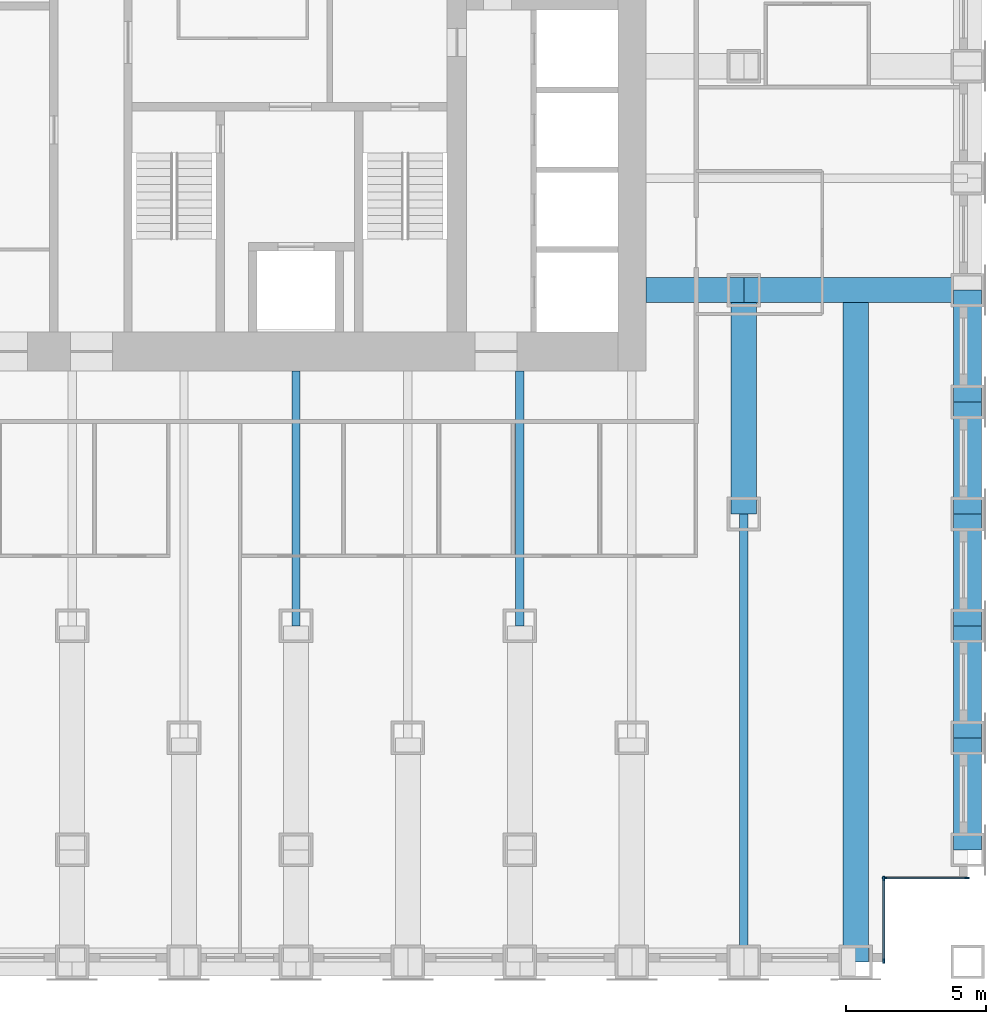
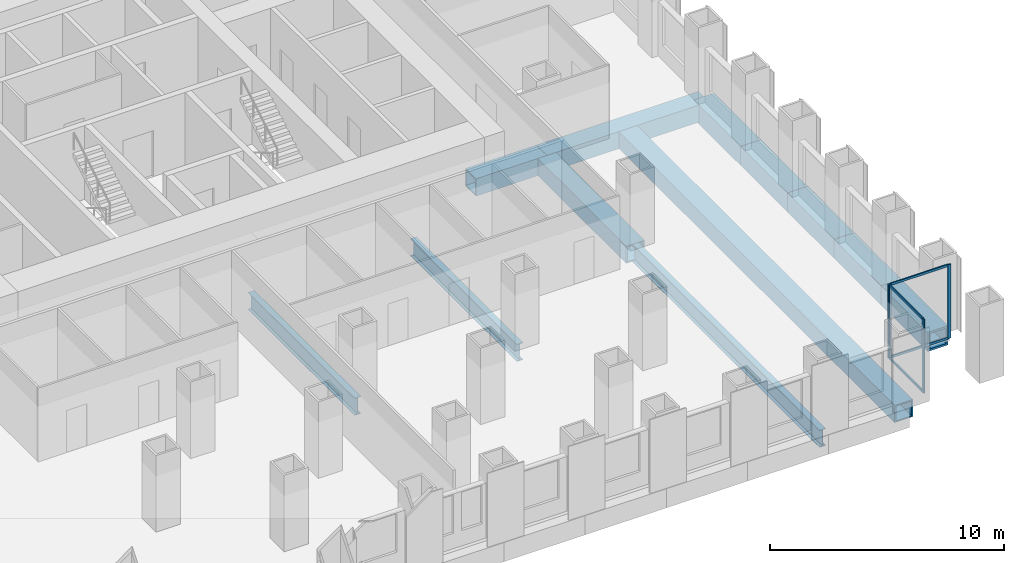
# One storey, part 4 of 15: 12 beams, 8 members, 2 elements without a shape of their own.
"""IFC4 building model written with IfcOpenShell, lengths in metres."""

from ifc_helpers import new_model, si_unit, direction, frame, origin, origin_2d, place, context, subcontext, project, spatial, rectangle, hollow_rectangle, i_section, extrude, material, material_profile, profile_set, type_object, element, aggregate, save


model = new_model("IFC4")

# Units and contexts
model_context = context("Model", 3, precision=1e-05, world=origin(), true_north=direction((0.0, 1.0)))
body_context = subcontext(model_context, "Body", "Model", "MODEL_VIEW")
ifc_project = project(units=[si_unit("LENGTHUNIT", "METRE"), si_unit("AREAUNIT", "SQUARE_METRE"), si_unit("VOLUMEUNIT", "CUBIC_METRE"), si_unit("PLANEANGLEUNIT", "RADIAN"), si_unit("MASSUNIT", "GRAM", prefix="KILO")], contexts=[model_context])

# Site, building, storey
site_placement = place(None, origin())
site = spatial("IfcSite", under=ifc_project, at=site_placement, CompositionType="ELEMENT")
building_placement = place(site_placement, origin())
building = spatial("IfcBuilding", under=site, at=building_placement, Name="Rimbunsela Tower", CompositionType="ELEMENT")
storey_placement = place(building_placement, frame((0.0, 0.0, 19.0)))
storey = spatial("IfcBuildingStorey", under=building, at=storey_placement, Name="L04", CompositionType="ELEMENT", Elevation=19.0)

# Beams
ifc_material_1 = material(Name="Steel BJ 55 (fy 410 MPa)", Category="steel")
ifc_material_profile_1 = material_profile(ifc_material_1, hollow_rectangle(XDim=1.0, YDim=1.0, WallThickness=0.10009765625, at=origin_2d()), Name="BOX 1000x1000x100")
ifc_profile_set_1 = profile_set([ifc_material_profile_1], Name="Steel BJ 55 (fy 410 MPa)")
beam_type_1 = type_object("IfcBeamType", Name="Beam BOX 1000x1000x100", PredefinedType="BEAM", material=ifc_profile_set_1)
for number, where, z_axis, x_axis, name in (
    (1, (54.0, 0.0, -0.64990234375), (0.0, 1.0, 0.0), (-1.0, 0.0, 0.0), "Beam B3 L04"),
    (2, (54.0, 4.0, -0.64990234375), (0.0, 1.0, 0.0), (-1.0, 0.0, 0.0), "Beam B3 L04"),
    (3, (54.0, 8.0, -0.64990234375), (0.0, 1.0, 0.0), (-1.0, 0.0, 0.0), "Beam B3 L04"),
    (4, (54.0, 12.0, -0.64990234375), (0.0, 1.0, 0.0), (-1.0, 0.0, 0.0), "Beam B3 L04"),
    (5, (54.0, 16.0, -0.64990234375), (0.0, 1.0, 0.0), (-1.0, 0.0, 0.0), "Beam B3 L04"),
):
    element("IfcBeam", number, at=place(storey_placement, frame(where, z_axis=z_axis, x_axis=x_axis)), inside=storey, type_object=beam_type_1, Name=name, PredefinedType="BEAM", context=body_context, shape_type="SweptSolid", body=[
        extrude(hollow_rectangle(XDim=1.0, YDim=1.0, WallThickness=0.10009765625, at=origin_2d()), origin(), (0.0, 0.0, 1.0), 4.0),
    ])
ifc_material_2 = material(Name="Steel BJ 55 (fy 410 MPa)", Category="steel")
ifc_material_profile_2 = material_profile(ifc_material_2, hollow_rectangle(XDim=0.89990234375, YDim=0.89990234375, WallThickness=0.06005859375, at=origin_2d()), Name="BOX 900x900x60")
ifc_profile_set_2 = profile_set([ifc_material_profile_2], Name="Steel BJ 55 (fy 410 MPa)")
beam_type_2 = type_object("IfcBeamType", Name="Beam BOX 900x900x60", PredefinedType="BEAM", material=ifc_profile_set_2)
beam_1_placement = place(storey_placement, frame((42.5, 20.0, -0.60009765625), z_axis=(1.0, 0.0, 0.0), x_axis=(0.0, 1.0, 0.0)))
element("IfcBeam", 6, at=beam_1_placement, inside=storey, type_object=beam_type_2, Name="Beam B1 L04", PredefinedType="BEAM", context=body_context, shape_type="SweptSolid", body=[
    extrude(hollow_rectangle(XDim=0.89990234375, YDim=0.89990234375, WallThickness=0.06005859375, at=origin_2d()), origin(), (0.0, 0.0, 1.0), 3.5),
])
for number, where, z_axis, x_axis, name in (
    (7, (46.0, 12.0, -0.60009765625), (0.0, 1.0, 0.0), (-1.0, 0.0, 0.0), "Beam B1 L04"),
    (8, (46.0, 20.0, -0.60009765625), (1.0, 0.0, 0.0), (0.0, 1.0, 0.0), "Beam B1 L04"),
):
    element("IfcBeam", number, at=place(storey_placement, frame(where, z_axis=z_axis, x_axis=x_axis)), inside=storey, type_object=beam_type_2, Name=name, PredefinedType="BEAM", context=body_context, shape_type="SweptSolid", body=[
        extrude(hollow_rectangle(XDim=0.89990234375, YDim=0.89990234375, WallThickness=0.06005859375, at=origin_2d()), origin(), (0.0, 0.0, 1.0), 8.0),
    ])
beam_2_placement = place(storey_placement, frame((50.0, -4.0, -0.60009765625), z_axis=(0.0, 1.0, 0.0), x_axis=(-1.0, 0.0, 0.0)))
element("IfcBeam", 9, at=beam_2_placement, inside=storey, type_object=beam_type_2, Name="Beam B1 L04", PredefinedType="BEAM", context=body_context, shape_type="SweptSolid", body=[
    extrude(hollow_rectangle(XDim=0.89990234375, YDim=0.89990234375, WallThickness=0.06005859375, at=origin_2d()), origin(), (0.0, 0.0, 1.0), 23.550048828125),
])
ifc_material_3 = material(Name="Steel BJ 55 (fy 410 MPa)", Category="steel")
ifc_material_profile_3 = material_profile(ifc_material_3, i_section(OverallWidth=0.300048828125, OverallDepth=0.89990234375, WebThickness=0.01611328125, FlangeThickness=0.028076171875, FilletRadius=0.028076171875, at=origin_2d()), Name="H 900x300x16x28")
ifc_profile_set_3 = profile_set([ifc_material_profile_3], Name="Steel BJ 55 (fy 410 MPa)")
beam_type_3 = type_object("IfcBeamType", Name="Beam H 900x300x16x28", PredefinedType="BEAM", material=ifc_profile_set_3)
for number, where, z_axis, x_axis, name in (
    (10, (30.0, 8.0, -0.60009765625), (0.0, 1.0, 0.0), (-1.0, 0.0, 0.0), "Beam B2 L04"),
    (11, (38.0, 8.0, -0.60009765625), (0.0, 1.0, 0.0), (-1.0, 0.0, 0.0), "Beam B2 L04"),
):
    element("IfcBeam", number, at=place(storey_placement, frame(where, z_axis=z_axis, x_axis=x_axis)), inside=storey, type_object=beam_type_3, Name=name, PredefinedType="BEAM", context=body_context, shape_type="SweptSolid", body=[
        extrude(i_section(OverallWidth=0.300048828125, OverallDepth=0.89990234375, WebThickness=0.01611328125, FlangeThickness=0.028076171875, FilletRadius=0.028076171875, at=origin_2d()), origin(), (0.0, 0.0, 1.0), 9.10009765625),
    ])
beam_3_placement = place(storey_placement, frame((46.0, -4.0, -0.60009765625), z_axis=(0.0, 1.0, 0.0), x_axis=(-1.0, 0.0, 0.0)))
element("IfcBeam", 12, at=beam_3_placement, inside=storey, type_object=beam_type_3, Name="Beam B2 L04", PredefinedType="BEAM", context=body_context, shape_type="SweptSolid", body=[
    extrude(i_section(OverallWidth=0.300048828125, OverallDepth=0.89990234375, WebThickness=0.01611328125, FlangeThickness=0.028076171875, FilletRadius=0.028076171875, at=origin_2d()), origin(), (0.0, 0.0, 1.0), 16.0),
])

# Curtain wall, members
ifc_material_4 = material(Name="Aluminium curtain wall", Category="aluminium")
curtain_wall_type = type_object("IfcCurtainWallType", Name="Corner glazing", PredefinedType="USERDEFINED", material=ifc_material_4)
curtain_wall_1_placement = place(storey_placement, origin())
curtain_wall_1 = element("IfcCurtainWall", 13, at=curtain_wall_1_placement, inside=storey, type_object=curtain_wall_type, Name="Corner glazing L04", ObjectType="CORNER GLAZING", PredefinedType="USERDEFINED")
ifc_material_5 = material(Name="Aluminium mullion", Category="aluminium")
ifc_material_profile_4 = material_profile(ifc_material_5, rectangle(XDim=0.06005859375, YDim=0.159912109375, at=origin_2d()), Name="Mullion 60x160")
ifc_profile_set_4 = profile_set([ifc_material_profile_4], Name="Aluminium mullion")
member_type_1 = type_object("IfcMemberType", Name="Curtain wall mullion 60x160", PredefinedType="MULLION", material=ifc_profile_set_4)
member_1_placement = place(storey_placement, frame((51.0, -3.969970703125, 0.0), z_axis=(0.0, 0.0, 1.0), x_axis=(-1.0, 0.0, 0.0)))
member_1 = element("IfcMember", 14, at=member_1_placement, type_object=member_type_1, Name="CW5 mullion 1", PredefinedType="MULLION", context=body_context, shape_type="SweptSolid", body=[
    extrude(rectangle(XDim=0.06005859375, YDim=0.159912109375, at=origin_2d()), origin(), (0.0, 0.0, 1.0), 3.85009765625),
])
member_2_placement = place(storey_placement, frame((51.0, -1.030029296875, 0.0), z_axis=(0.0, 0.0, 1.0), x_axis=(-1.0, 0.0, 0.0)))
member_2 = element("IfcMember", 15, at=member_2_placement, type_object=member_type_1, Name="CW5 mullion 2", PredefinedType="MULLION", context=body_context, shape_type="SweptSolid", body=[
    extrude(rectangle(XDim=0.06005859375, YDim=0.159912109375, at=origin_2d()), origin(), (0.0, 0.0, 1.0), 3.85009765625),
])

curtain_wall_2_placement = place(storey_placement, origin())
curtain_wall_2 = element("IfcCurtainWall", 16, at=curtain_wall_2_placement, inside=storey, type_object=curtain_wall_type, Name="Corner glazing L04", ObjectType="CORNER GLAZING", PredefinedType="USERDEFINED")
member_3_placement = place(storey_placement, frame((51.030029296875, -1.0, 0.0), z_axis=(0.0, 0.0, 1.0), x_axis=(0.0, 1.0, 0.0)))
member_3 = element("IfcMember", 17, at=member_3_placement, type_object=member_type_1, Name="CW5 mullion 1", PredefinedType="MULLION", context=body_context, shape_type="SweptSolid", body=[
    extrude(rectangle(XDim=0.06005859375, YDim=0.159912109375, at=origin_2d()), origin(), (0.0, 0.0, 1.0), 3.85009765625),
])
member_4_placement = place(storey_placement, frame((53.969970703125, -1.0, 0.0), z_axis=(0.0, 0.0, 1.0), x_axis=(0.0, 1.0, 0.0)))
member_4 = element("IfcMember", 18, at=member_4_placement, type_object=member_type_1, Name="CW5 mullion 2", PredefinedType="MULLION", context=body_context, shape_type="SweptSolid", body=[
    extrude(rectangle(XDim=0.06005859375, YDim=0.159912109375, at=origin_2d()), origin(), (0.0, 0.0, 1.0), 3.85009765625),
])

# Member
ifc_material_6 = material(Name="Aluminium transom", Category="aluminium")
ifc_material_profile_5 = material_profile(ifc_material_6, rectangle(XDim=0.06005859375, YDim=0.1201171875, at=origin_2d()), Name="Transom 60x120")
ifc_profile_set_5 = profile_set([ifc_material_profile_5], Name="Aluminium transom")
member_type_2 = type_object("IfcMemberType", Name="Curtain wall transom 60x120", PredefinedType="USERDEFINED", material=ifc_profile_set_5)
member_5_placement = place(storey_placement, frame((51.0, -3.93994140625, 0.030029296875), z_axis=(0.0, 1.0, 0.0), x_axis=(-1.0, 0.0, 0.0)))
member_5 = element("IfcMember", 19, at=member_5_placement, type_object=member_type_2, Name="CW5 transom 1.1", ObjectType="TRANSOM", PredefinedType="USERDEFINED", context=body_context, shape_type="SweptSolid", body=[
    extrude(rectangle(XDim=0.06005859375, YDim=0.1201171875, at=origin_2d()), origin(), (0.0, 0.0, 1.0), 2.8798828125),
])

member_6_placement = place(storey_placement, frame((51.0, -3.93994140625, 3.820068359375), z_axis=(0.0, 1.0, 0.0), x_axis=(-1.0, 0.0, 0.0)))
member_6 = element("IfcMember", 20, at=member_6_placement, type_object=member_type_2, Name="CW5 transom 1.2", ObjectType="TRANSOM", PredefinedType="USERDEFINED", context=body_context, shape_type="SweptSolid", body=[
    extrude(rectangle(XDim=0.06005859375, YDim=0.1201171875, at=origin_2d()), origin(), (0.0, 0.0, 1.0), 2.8798828125),
])

aggregate(curtain_wall_1, [member_1, member_2, member_5, member_6])

member_7_placement = place(storey_placement, frame((51.06005859375, -1.0, 0.030029296875), z_axis=(1.0, 0.0, 0.0), x_axis=(0.0, 1.0, 0.0)))
member_7 = element("IfcMember", 21, at=member_7_placement, type_object=member_type_2, Name="CW5 transom 1.1", ObjectType="TRANSOM", PredefinedType="USERDEFINED", context=body_context, shape_type="SweptSolid", body=[
    extrude(rectangle(XDim=0.06005859375, YDim=0.1201171875, at=origin_2d()), origin(), (0.0, 0.0, 1.0), 2.8798828125),
])

member_8_placement = place(storey_placement, frame((51.06005859375, -1.0, 3.820068359375), z_axis=(1.0, 0.0, 0.0), x_axis=(0.0, 1.0, 0.0)))
member_8 = element("IfcMember", 22, at=member_8_placement, type_object=member_type_2, Name="CW5 transom 1.2", ObjectType="TRANSOM", PredefinedType="USERDEFINED", context=body_context, shape_type="SweptSolid", body=[
    extrude(rectangle(XDim=0.06005859375, YDim=0.1201171875, at=origin_2d()), origin(), (0.0, 0.0, 1.0), 2.8798828125),
])

aggregate(curtain_wall_2, [member_3, member_4, member_7, member_8])

save(model, "model.ifc")
